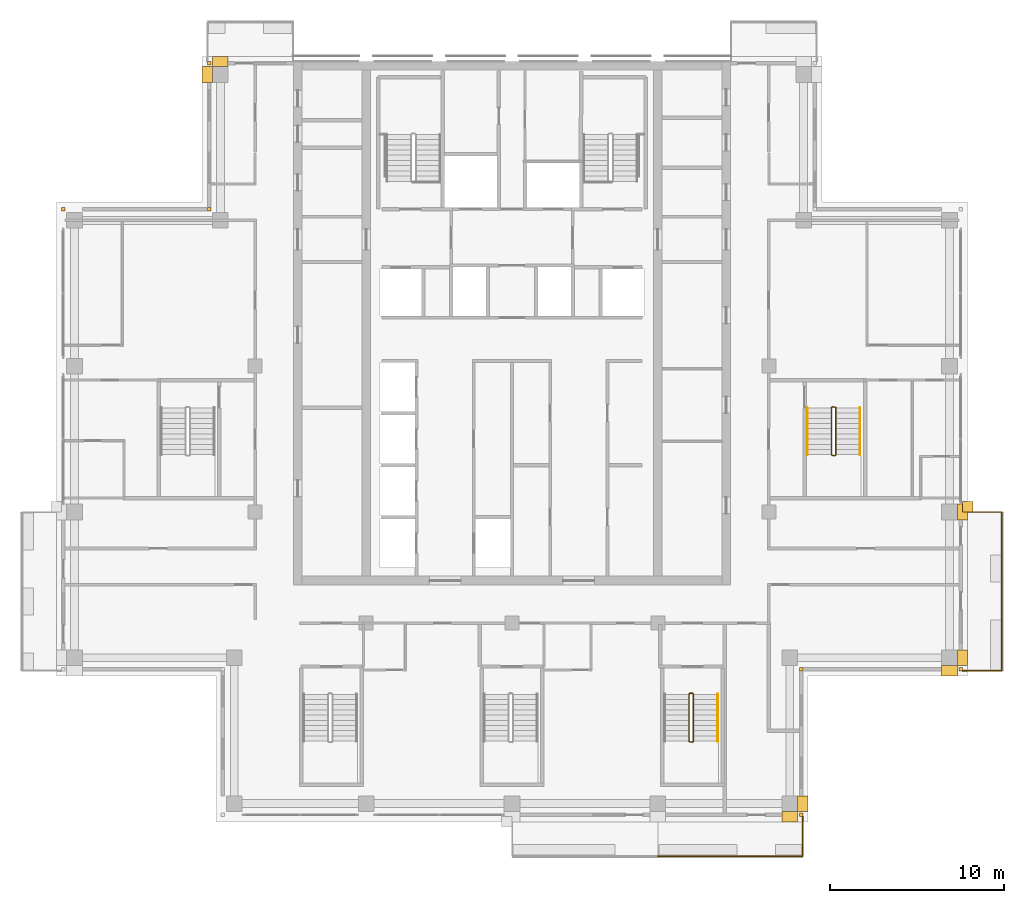
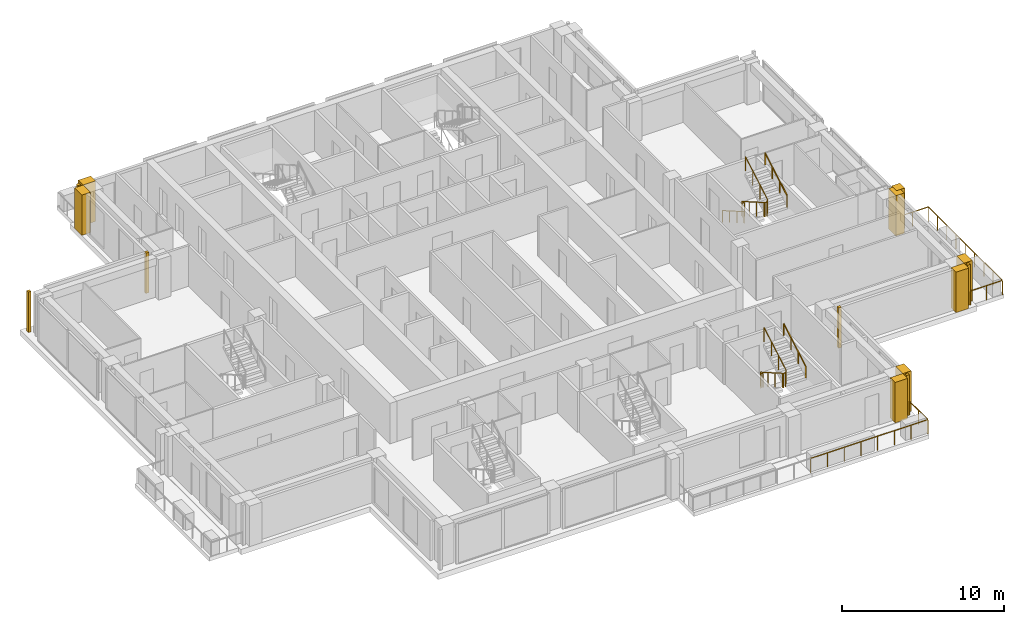
# One storey, part 16 of 17: 14 coverings, 7 railings.
"""IFC4 building model written with IfcOpenShell, lengths in metres."""

import ifcopenshell
import ifcopenshell.guid

model = None  # the IFC model being written
_history = None  # IfcOwnerHistory: only IFC2X3 demands one
_inside = {}  # id of a spatial element -> (the spatial element, [elements in it])
_under = {}  # id of a project, library or spatial element -> (it, [spatial elements below it])
_declared = {}  # id of a project -> (the project, [libraries it declares])
_typed = {}  # id of a type object -> (the type object, [elements of that type])
_made_of = {}  # id of a material, layer set ... -> (it, [elements and type objects made of it])


def new_model(schema):
    """Start an empty IFC model of exactly this schema.

    Asked for "IFC4X3", IfcOpenShell would pick the latest addendum, in which some entities
    have other attributes; the version numbers below select the first issue.
    IFC2X3 requires an IfcOwnerHistory on every rooted entity: one is made here for all.
    """
    global model, _history
    if schema == "IFC4X3":
        model = ifcopenshell.file(schema_version=(4, 3, 0, 0))
    else:
        model = ifcopenshell.file(schema=schema)
    _inside.clear()
    _under.clear()
    _declared.clear()
    _typed.clear()
    _made_of.clear()
    _history = None
    if model.schema == "IFC2X3":
        org = make("IfcOrganization", Name="unknown")
        user = make(
            "IfcPersonAndOrganization",
            ThePerson=make("IfcPerson", FamilyName="unknown"),
            TheOrganization=org,
        )
        app = make(
            "IfcApplication",
            ApplicationDeveloper=org,
            Version="unknown",
            ApplicationFullName="unknown",
            ApplicationIdentifier="unknown",
        )
        _history = make(
            "IfcOwnerHistory",
            OwningUser=user,
            OwningApplication=app,
            ChangeAction="ADDED",
            CreationDate=0,
        )
    return model


def make(cls, **values):
    """One entity of the class cls with the attributes given. An attribute that is None is left unset."""
    return model.create_entity(
        cls, **{name: value for name, value in values.items() if value is not None}
    )


def rooted(cls, **values):
    """An entity with a GlobalId (a new one), such as an element, a storey or a relation."""
    return make(cls, GlobalId=ifcopenshell.guid.new(), OwnerHistory=_history, **values)


def si_unit(unit_type, name, prefix=None):
    """IfcSIUnit, for example si_unit("LENGTHUNIT", "METRE", prefix="MILLI")."""
    return make("IfcSIUnit", UnitType=unit_type, Prefix=prefix, Name=name)


def assignment(units):
    """IfcUnitAssignment: the units of a project."""
    return None if units is None else make("IfcUnitAssignment", Units=units)


def point(xyz):
    """IfcCartesianPoint."""
    return None if xyz is None else make("IfcCartesianPoint", Coordinates=xyz)


def direction(xyz):
    """IfcDirection."""
    return None if xyz is None else make("IfcDirection", DirectionRatios=xyz)


def frame(location, z_axis=None, x_axis=None):
    """IfcAxis2Placement3D, a coordinate frame: its origin and axes. An axis left out is left unset."""
    return make(
        "IfcAxis2Placement3D",
        Location=point(location),
        Axis=direction(z_axis),
        RefDirection=direction(x_axis),
    )


def frame_2d(location, x_axis=None):
    """IfcAxis2Placement2D, a coordinate frame in the plane: its origin and x axis."""
    return make(
        "IfcAxis2Placement2D", Location=point(location), RefDirection=direction(x_axis)
    )


def origin():
    """The frame at (0, 0, 0) with its axes left unset."""
    return frame((0.0, 0.0, 0.0))


def origin_2d():
    """The frame at (0, 0) in the plane with its x axis left unset."""
    return frame_2d((0.0, 0.0))


def place(relative_to, where):
    """IfcLocalPlacement: puts the frame where relative to a parent placement (None: the world)."""
    return make(
        "IfcLocalPlacement", PlacementRelTo=relative_to, RelativePlacement=where
    )


def context(
    kind, dimensions, precision=None, world=None, true_north=None, identifier=None
):
    """IfcGeometricRepresentationContext, for example the 3D "Model" context."""
    return make(
        "IfcGeometricRepresentationContext",
        ContextIdentifier=identifier,
        ContextType=kind,
        CoordinateSpaceDimension=dimensions,
        Precision=precision,
        WorldCoordinateSystem=world,
        TrueNorth=true_north,
    )


def subcontext(parent, identifier, kind, view, scale=None):
    """IfcGeometricRepresentationSubContext, for example "Body" below "Model"."""
    return make(
        "IfcGeometricRepresentationSubContext",
        ContextIdentifier=identifier,
        ContextType=kind,
        ParentContext=parent,
        TargetScale=scale,
        TargetView=view,
    )


def project(units=None, contexts=None):
    """IfcProject with its units and contexts."""
    return rooted(
        "IfcProject",
        Name="project",
        RepresentationContexts=contexts,
        UnitsInContext=assignment(units),
    )


def spatial(cls, under=None, at=None, **own):
    """A site, building, storey or space (cls), placed at a placement, below another one or the project."""
    s = rooted(cls, ObjectPlacement=at, **own)
    if under is not None:
        _under.setdefault(under.id(), (under, []))[1].append(s)
    return s


def polyline(points):
    """IfcPolyline through the points."""
    return make("IfcPolyline", Points=[point(p) for p in points])


def profile(cls, at=None, kind="AREA", **sizes):
    """A parametric profile (cls). Its sizes go by their IFC names, for example OverallWidth=200.0."""
    return make(cls, ProfileType=kind, Position=at, **sizes)


def rectangle(**sizes):
    """IfcRectangleProfileDef."""
    return profile("IfcRectangleProfileDef", **sizes)


def outline(outer, holes=None, kind="AREA"):
    """IfcArbitraryClosedProfileDef: a profile drawn as a closed curve; with holes, ...WithVoids."""
    if holes is None:
        return make("IfcArbitraryClosedProfileDef", ProfileType=kind, OuterCurve=outer)
    return make(
        "IfcArbitraryProfileDefWithVoids",
        ProfileType=kind,
        OuterCurve=outer,
        InnerCurves=holes,
    )


def extrude(swept, where, along, depth):
    """IfcExtrudedAreaSolid: the profile swept, set in the frame where, extruded along a direction by depth."""
    return make(
        "IfcExtrudedAreaSolid",
        SweptArea=swept,
        Position=where,
        ExtrudedDirection=direction(along),
        Depth=depth,
    )


def shape(context_of_items, identifier, shape_type, items):
    """IfcShapeRepresentation: the items that make up one representation, for example the "Body"."""
    return make(
        "IfcShapeRepresentation",
        ContextOfItems=context_of_items,
        RepresentationIdentifier=identifier,
        RepresentationType=shape_type,
        Items=items,
    )


def material(Name=None, Category=None):
    """IfcMaterial."""
    return make("IfcMaterial", Name=Name, Category=Category)


def made_of(thing, what):
    """Note that an element or type object is made of a material, layer set ...; save() writes the relation."""
    if what is not None:
        _made_of.setdefault(what.id(), (what, []))[1].append(thing)
    return thing


def type_object(cls, material=None, **own):
    """A type object (cls), such as IfcWallType, which elements share."""
    return made_of(rooted(cls, **own), material)


def element(
    cls,
    number,
    at=None,
    inside=None,
    cuts=None,
    type_object=None,
    material=None,
    context=None,
    identifier="Body",
    shape_type=None,
    held_by="IfcProductDefinitionShape",
    body=None,
    shapes=None,
    **own,
):
    """One element of the class cls, such as IfcWall. Its Tag is "e" and its number.

    at: its placement. inside: the storey or other place that contains it. cuts: it is an
    opening in that element (IfcRelVoidsElement). A single representation is given by context,
    identifier, shape_type and body (its items); several are given by shapes. held_by: the class
    of the entity that holds the representations. save() writes the other relations.
    """
    e = rooted(cls, Tag="e%d" % number, ObjectPlacement=at, **own)
    if body is not None:
        shapes = [shape(context, identifier, shape_type, body)]
    if shapes is not None:
        e.Representation = make(held_by, Representations=shapes)
    if inside is not None:
        _inside.setdefault(inside.id(), (inside, []))[1].append(e)
    if cuts is not None:
        rooted(
            "IfcRelVoidsElement", RelatingBuildingElement=cuts, RelatedOpeningElement=e
        )
    if type_object is not None:
        _typed.setdefault(type_object.id(), (type_object, []))[1].append(e)
    return made_of(e, material)


def aggregate(whole, parts):
    """IfcRelAggregates: a whole, such as a stair, and the parts it consists of."""
    return rooted("IfcRelAggregates", RelatingObject=whole, RelatedObjects=parts)


def save(model, path):
    """Write the relations noted so far, then the file.

    IfcRelAggregates (storeys below a building ...), IfcRelContainedInSpatialStructure (elements
    in a storey), IfcRelDefinesByType, IfcRelAssociatesMaterial and IfcRelDeclares: one each for
    every whole, place, type object, material and project.
    """
    for whole, parts in _under.values():
        aggregate(whole, parts)
    for where, things in _inside.values():
        rooted(
            "IfcRelContainedInSpatialStructure",
            RelatedElements=things,
            RelatingStructure=where,
        )
    for kind, things in _typed.values():
        rooted("IfcRelDefinesByType", RelatedObjects=things, RelatingType=kind)
    for what, things in _made_of.values():
        rooted("IfcRelAssociatesMaterial", RelatedObjects=things, RelatingMaterial=what)
    for by, libraries in _declared.values():
        rooted("IfcRelDeclares", RelatingContext=by, RelatedDefinitions=libraries)
    model.write(path)


model = new_model("IFC4")

# Units and contexts
model_context = context("Model", 3, precision=1e-05, world=origin(), true_north=direction((0.0, 1.0)))
body_context = subcontext(model_context, "Body", "Model", "MODEL_VIEW")
ifc_project = project(units=[si_unit("LENGTHUNIT", "METRE"), si_unit("AREAUNIT", "SQUARE_METRE"), si_unit("VOLUMEUNIT", "CUBIC_METRE"), si_unit("PLANEANGLEUNIT", "RADIAN"), si_unit("MASSUNIT", "GRAM", prefix="KILO")], contexts=[model_context])

# Site, building, storey
site_placement = place(None, origin())
site = spatial("IfcSite", under=ifc_project, at=site_placement, CompositionType="ELEMENT")
building_placement = place(site_placement, origin())
building = spatial("IfcBuilding", under=site, at=building_placement, Name="Vermilion Ogive Tower", CompositionType="ELEMENT")
storey_placement = place(building_placement, frame((0.0, 0.0, 257.949951171875)))
storey = spatial("IfcBuildingStorey", under=building, at=storey_placement, Name="L68", CompositionType="ELEMENT", Elevation=257.949951171875)

# Railings
ifc_material_1 = material(Name="Stainless steel and glass", Category="steel")
railing_type_1 = type_object("IfcRailingType", Name="Balcony guard", PredefinedType="GUARDRAIL", material=ifc_material_1)
railing_1_placement = place(storey_placement, frame((8.39990234375, -24.020751953125, -0.0400390625)))
element("IfcRailing", 1, at=railing_1_placement, inside=storey, type_object=railing_type_1, Name="Guard S04", PredefinedType="GUARDRAIL", context=body_context, shape_type="SweptSolid", body=[
    extrude(rectangle(XDim=0.048095703125, YDim=0.048095703125, at=origin_2d()), frame((0.0, 0.0, 1.076171875), z_axis=(1.0, 0.0, 0.0), x_axis=(0.0, 1.0, 0.0)), (0.0, 0.0, 1.0), 8.35009765625),
    extrude(rectangle(XDim=0.048095703125, YDim=0.048095703125, at=origin_2d()), frame((8.35009765625, 0.0, 1.076171875), z_axis=(0.0, 1.0, 0.0), x_axis=(-1.0, 0.0, 0.0)), (0.0, 0.0, 1.0), 2.270751953125),
    extrude(rectangle(XDim=0.0419921875, YDim=0.0419921875, at=origin_2d()), origin(), (0.0, 0.0, 1.0), 1.052001953125),
    extrude(rectangle(XDim=0.0419921875, YDim=0.0419921875, at=origin_2d()), frame((1.19287109375, 0.0, 0.0)), (0.0, 0.0, 1.0), 1.052001953125),
    extrude(rectangle(XDim=0.0419921875, YDim=0.0419921875, at=origin_2d()), frame((2.3857421875, 0.0, 0.0)), (0.0, 0.0, 1.0), 1.052001953125),
    extrude(rectangle(XDim=0.0419921875, YDim=0.0419921875, at=origin_2d()), frame((3.57861328125, 0.0, 0.0)), (0.0, 0.0, 1.0), 1.052001953125),
    extrude(rectangle(XDim=0.0419921875, YDim=0.0419921875, at=origin_2d()), frame((4.771484375, 0.0, 0.0)), (0.0, 0.0, 1.0), 1.052001953125),
    extrude(rectangle(XDim=0.0419921875, YDim=0.0419921875, at=origin_2d()), frame((5.96435546875, 0.0, 0.0)), (0.0, 0.0, 1.0), 1.052001953125),
    extrude(rectangle(XDim=0.0419921875, YDim=0.0419921875, at=origin_2d()), frame((7.1572265625, 0.0, 0.0)), (0.0, 0.0, 1.0), 1.052001953125),
    extrude(rectangle(XDim=0.0419921875, YDim=0.0419921875, at=origin_2d()), frame((8.35009765625, 0.0, 0.0)), (0.0, 0.0, 1.0), 1.052001953125),
    extrude(rectangle(XDim=0.0419921875, YDim=0.0419921875, at=origin_2d()), frame((8.35009765625, 1.13525390625, 0.0)), (0.0, 0.0, 1.0), 1.052001953125),
    extrude(rectangle(XDim=0.0419921875, YDim=0.0419921875, at=origin_2d()), frame((8.35009765625, 2.270751953125, 0.0)), (0.0, 0.0, 1.0), 1.052001953125),
])
railing_2_placement = place(storey_placement, frame((25.949951171875, -13.35009765625, -0.0400390625)))
element("IfcRailing", 2, at=railing_2_placement, inside=storey, type_object=railing_type_1, Name="Guard E01", PredefinedType="GUARDRAIL", context=body_context, shape_type="SweptSolid", body=[
    extrude(rectangle(XDim=0.048095703125, YDim=0.048095703125, at=origin_2d()), frame((0.0, 0.0, 1.076171875), z_axis=(1.0, 0.0, 0.0), x_axis=(0.0, 1.0, 0.0)), (0.0, 0.0, 1.0), 2.270751953125),
    extrude(rectangle(XDim=0.048095703125, YDim=0.048095703125, at=origin_2d()), frame((2.270751953125, 0.0, 1.076171875), z_axis=(0.0, 1.0, 0.0), x_axis=(-1.0, 0.0, 0.0)), (0.0, 0.0, 1.0), 9.150146484375),
    extrude(rectangle(XDim=0.048095703125, YDim=0.048095703125, at=origin_2d()), frame((2.270751953125, 9.150146484375, 1.076171875), z_axis=(-1.0, 0.0, 0.0), x_axis=(0.0, -1.0, 0.0)), (0.0, 0.0, 1.0), 2.270751953125),
    extrude(rectangle(XDim=0.0419921875, YDim=0.0419921875, at=origin_2d()), origin(), (0.0, 0.0, 1.0), 1.052001953125),
    extrude(rectangle(XDim=0.0419921875, YDim=0.0419921875, at=origin_2d()), frame((1.13525390625, 0.0, 0.0)), (0.0, 0.0, 1.0), 1.052001953125),
    extrude(rectangle(XDim=0.0419921875, YDim=0.0419921875, at=origin_2d()), frame((2.270751953125, 0.0, 0.0)), (0.0, 0.0, 1.0), 1.052001953125),
    extrude(rectangle(XDim=0.0419921875, YDim=0.0419921875, at=origin_2d()), frame((2.270751953125, 1.143798828125, 0.0)), (0.0, 0.0, 1.0), 1.052001953125),
    extrude(rectangle(XDim=0.0419921875, YDim=0.0419921875, at=origin_2d()), frame((2.270751953125, 2.28759765625, 0.0)), (0.0, 0.0, 1.0), 1.052001953125),
    extrude(rectangle(XDim=0.0419921875, YDim=0.0419921875, at=origin_2d()), frame((2.270751953125, 3.431396484375, 0.0)), (0.0, 0.0, 1.0), 1.052001953125),
    extrude(rectangle(XDim=0.0419921875, YDim=0.0419921875, at=origin_2d()), frame((2.270751953125, 4.5751953125, 0.0)), (0.0, 0.0, 1.0), 1.052001953125),
    extrude(rectangle(XDim=0.0419921875, YDim=0.0419921875, at=origin_2d()), frame((2.270751953125, 5.71875, 0.0)), (0.0, 0.0, 1.0), 1.052001953125),
    extrude(rectangle(XDim=0.0419921875, YDim=0.0419921875, at=origin_2d()), frame((2.270751953125, 6.862548828125, 0.0)), (0.0, 0.0, 1.0), 1.052001953125),
    extrude(rectangle(XDim=0.0419921875, YDim=0.0419921875, at=origin_2d()), frame((2.270751953125, 8.00634765625, 0.0)), (0.0, 0.0, 1.0), 1.052001953125),
    extrude(rectangle(XDim=0.0419921875, YDim=0.0419921875, at=origin_2d()), frame((2.270751953125, 9.150146484375, 0.0)), (0.0, 0.0, 1.0), 1.052001953125),
    extrude(rectangle(XDim=0.0419921875, YDim=0.0419921875, at=origin_2d()), frame((1.13525390625, 9.150146484375, 0.0)), (0.0, 0.0, 1.0), 1.052001953125),
    extrude(rectangle(XDim=0.0419921875, YDim=0.0419921875, at=origin_2d()), frame((0.0, 9.150146484375, 0.0)), (0.0, 0.0, 1.0), 1.052001953125),
])
ifc_material_2 = material(Name="Steel S355 painted", Category="steel")
railing_type_2 = type_object("IfcRailingType", Name="Stair guard 1100", PredefinedType="GUARDRAIL", material=ifc_material_2)
railing_3_placement = place(storey_placement, frame((10.39990234375, -14.64990234375, 0.0)))
element("IfcRailing", 3, at=railing_3_placement, inside=storey, type_object=railing_type_2, Name="L68 ST5 stair guard 4", PredefinedType="GUARDRAIL", context=body_context, shape_type="SweptSolid", body=[
    extrude(rectangle(XDim=0.048095703125, YDim=0.048095703125, at=origin_2d()), frame((0.0, 0.0, 1.076171875), z_axis=(-1.0, 0.0, 0.0), x_axis=(0.0, -1.0, 0.0)), (0.0, 0.0, 1.0), 0.14990234375),
    extrude(rectangle(XDim=0.048095703125, YDim=0.048095703125, at=origin_2d()), frame((-0.14990234375, 0.0, 1.076171875), z_axis=(-0.268277960024, -0.268277960024, 0.925231793839), x_axis=(0.707106781187, -0.707106781187, 0.0)), (0.0, 0.0, 1.0), 0.1865234375),
    extrude(rectangle(XDim=0.048095703125, YDim=0.048095703125, at=origin_2d()), frame((-0.199951171875, -0.050048828125, 1.24853515625), z_axis=(0.0, -0.866903762492, 0.498475542607), x_axis=(1.0, 0.0, 0.0)), (0.0, 0.0, 1.0), 3.114501953125),
    extrude(rectangle(XDim=0.048095703125, YDim=0.048095703125, at=origin_2d()), frame((-0.199951171875, -2.75, 2.80126953125), z_axis=(0.707106781187, -0.707106781187, 0.0), x_axis=(0.707106781187, 0.707106781187, 0.0)), (0.0, 0.0, 1.0), 0.07080078125),
    extrude(rectangle(XDim=0.048095703125, YDim=0.048095703125, at=origin_2d()), frame((-0.14990234375, -2.800048828125, 2.80126953125), z_axis=(1.0, 0.0, 0.0), x_axis=(0.0, 1.0, 0.0)), (0.0, 0.0, 1.0), 0.14990234375),
    extrude(rectangle(XDim=0.048095703125, YDim=0.048095703125, at=origin_2d()), frame((0.0, -2.800048828125, 2.80126953125), z_axis=(0.268603158521, 0.268603158521, 0.925043072762), x_axis=(-0.707106781187, 0.707106781187, 0.0)), (0.0, 0.0, 1.0), 0.186279296875),
    extrude(rectangle(XDim=0.048095703125, YDim=0.048095703125, at=origin_2d()), frame((0.050048828125, -2.75, 2.9736328125), z_axis=(0.0, 0.866903762492, 0.498475542607), x_axis=(-1.0, 0.0, 0.0)), (0.0, 0.0, 1.0), 3.114501953125),
    extrude(rectangle(XDim=0.0419921875, YDim=0.0419921875, at=origin_2d()), origin(), (0.0, 0.0, 1.0), 1.052001953125),
    extrude(rectangle(XDim=0.0419921875, YDim=0.0419921875, at=origin_2d()), frame((-0.14990234375, 0.0, 0.0)), (0.0, 0.0, 1.0), 1.052001953125),
    extrude(rectangle(XDim=0.0419921875, YDim=0.0419921875, at=origin_2d()), frame((-0.199951171875, -0.050048828125, 0.172607421875)), (0.0, 0.0, 1.0), 1.052001953125),
    extrude(rectangle(XDim=0.0419921875, YDim=0.0419921875, at=origin_2d()), frame((-0.199951171875, -0.949951171875, 0.690185546875)), (0.0, 0.0, 1.0), 1.052001953125),
    extrude(rectangle(XDim=0.0419921875, YDim=0.0419921875, at=origin_2d()), frame((-0.199951171875, -1.85009765625, 1.20751953125)), (0.0, 0.0, 1.0), 1.052001953125),
    extrude(rectangle(XDim=0.0419921875, YDim=0.0419921875, at=origin_2d()), frame((-0.199951171875, -2.75, 1.72509765625)), (0.0, 0.0, 1.0), 1.052001953125),
    extrude(rectangle(XDim=0.0419921875, YDim=0.0419921875, at=origin_2d()), frame((-0.14990234375, -2.800048828125, 1.72509765625)), (0.0, 0.0, 1.0), 1.052001953125),
    extrude(rectangle(XDim=0.0419921875, YDim=0.0419921875, at=origin_2d()), frame((0.0, -2.800048828125, 1.72509765625)), (0.0, 0.0, 1.0), 1.052001953125),
    extrude(rectangle(XDim=0.0419921875, YDim=0.0419921875, at=origin_2d()), frame((0.050048828125, -2.75, 1.8974609375)), (0.0, 0.0, 1.0), 1.052001953125),
    extrude(rectangle(XDim=0.0419921875, YDim=0.0419921875, at=origin_2d()), frame((0.050048828125, -1.85009765625, 2.4150390625)), (0.0, 0.0, 1.0), 1.052001953125),
    extrude(rectangle(XDim=0.0419921875, YDim=0.0419921875, at=origin_2d()), frame((0.050048828125, -0.949951171875, 2.932373046875)), (0.0, 0.0, 1.0), 1.052001953125),
    extrude(rectangle(XDim=0.0419921875, YDim=0.0419921875, at=origin_2d()), frame((0.050048828125, -0.050048828125, 3.449951171875)), (0.0, 0.0, 1.0), 1.052001953125),
])
railing_4_placement = place(storey_placement, frame((18.60009765625, 1.85009765625, 0.0)))
element("IfcRailing", 4, at=railing_4_placement, inside=storey, type_object=railing_type_2, Name="L68 ST8 stair guard 4", PredefinedType="GUARDRAIL", context=body_context, shape_type="SweptSolid", body=[
    extrude(rectangle(XDim=0.048095703125, YDim=0.048095703125, at=origin_2d()), frame((0.0, 0.0, 1.076171875), z_axis=(-1.0, 0.0, 0.0), x_axis=(0.0, -1.0, 0.0)), (0.0, 0.0, 1.0), 0.150146484375),
    extrude(rectangle(XDim=0.048095703125, YDim=0.048095703125, at=origin_2d()), frame((-0.150146484375, 0.0, 1.076171875), z_axis=(-0.268277960024, -0.268277960024, 0.925231793839), x_axis=(0.707106781187, -0.707106781187, 0.0)), (0.0, 0.0, 1.0), 0.1865234375),
    extrude(rectangle(XDim=0.048095703125, YDim=0.048095703125, at=origin_2d()), frame((-0.2001953125, -0.050048828125, 1.24853515625), z_axis=(0.0, -0.866903762492, 0.498475542607), x_axis=(1.0, 0.0, 0.0)), (0.0, 0.0, 1.0), 3.114501953125),
    extrude(rectangle(XDim=0.048095703125, YDim=0.048095703125, at=origin_2d()), frame((-0.2001953125, -2.75, 2.80126953125), z_axis=(0.707106781187, -0.707106781187, 0.0), x_axis=(0.707106781187, 0.707106781187, 0.0)), (0.0, 0.0, 1.0), 0.07080078125),
    extrude(rectangle(XDim=0.048095703125, YDim=0.048095703125, at=origin_2d()), frame((-0.150146484375, -2.800048828125, 2.80126953125), z_axis=(1.0, 0.0, 0.0), x_axis=(0.0, 1.0, 0.0)), (0.0, 0.0, 1.0), 0.150146484375),
    extrude(rectangle(XDim=0.048095703125, YDim=0.048095703125, at=origin_2d()), frame((0.0, -2.800048828125, 2.80126953125), z_axis=(0.267386790225, 0.268697509785, 0.925368009307), x_axis=(-0.708833529934, 0.705375805398, 0.0)), (0.0, 0.0, 1.0), 0.186279296875),
    extrude(rectangle(XDim=0.048095703125, YDim=0.048095703125, at=origin_2d()), frame((0.0498046875, -2.75, 2.9736328125), z_axis=(0.0, 0.866903762492, 0.498475542607), x_axis=(-1.0, 0.0, 0.0)), (0.0, 0.0, 1.0), 3.114501953125),
    extrude(rectangle(XDim=0.0419921875, YDim=0.0419921875, at=origin_2d()), origin(), (0.0, 0.0, 1.0), 1.052001953125),
    extrude(rectangle(XDim=0.0419921875, YDim=0.0419921875, at=origin_2d()), frame((-0.150146484375, 0.0, 0.0)), (0.0, 0.0, 1.0), 1.052001953125),
    extrude(rectangle(XDim=0.0419921875, YDim=0.0419921875, at=origin_2d()), frame((-0.2001953125, -0.050048828125, 0.172607421875)), (0.0, 0.0, 1.0), 1.052001953125),
    extrude(rectangle(XDim=0.0419921875, YDim=0.0419921875, at=origin_2d()), frame((-0.2001953125, -0.949951171875, 0.690185546875)), (0.0, 0.0, 1.0), 1.052001953125),
    extrude(rectangle(XDim=0.0419921875, YDim=0.0419921875, at=origin_2d()), frame((-0.2001953125, -1.85009765625, 1.20751953125)), (0.0, 0.0, 1.0), 1.052001953125),
    extrude(rectangle(XDim=0.0419921875, YDim=0.0419921875, at=origin_2d()), frame((-0.2001953125, -2.75, 1.72509765625)), (0.0, 0.0, 1.0), 1.052001953125),
    extrude(rectangle(XDim=0.0419921875, YDim=0.0419921875, at=origin_2d()), frame((-0.150146484375, -2.800048828125, 1.72509765625)), (0.0, 0.0, 1.0), 1.052001953125),
    extrude(rectangle(XDim=0.0419921875, YDim=0.0419921875, at=origin_2d()), frame((0.0, -2.800048828125, 1.72509765625)), (0.0, 0.0, 1.0), 1.052001953125),
    extrude(rectangle(XDim=0.0419921875, YDim=0.0419921875, at=origin_2d()), frame((0.0498046875, -2.75, 1.8974609375)), (0.0, 0.0, 1.0), 1.052001953125),
    extrude(rectangle(XDim=0.0419921875, YDim=0.0419921875, at=origin_2d()), frame((0.0498046875, -1.85009765625, 2.4150390625)), (0.0, 0.0, 1.0), 1.052001953125),
    extrude(rectangle(XDim=0.0419921875, YDim=0.0419921875, at=origin_2d()), frame((0.0498046875, -0.949951171875, 2.932373046875)), (0.0, 0.0, 1.0), 1.052001953125),
    extrude(rectangle(XDim=0.0419921875, YDim=0.0419921875, at=origin_2d()), frame((0.0498046875, -0.050048828125, 3.449951171875)), (0.0, 0.0, 1.0), 1.052001953125),
])
ifc_material_3 = material(Name="Stainless steel", Category="steel")
railing_type_3 = type_object("IfcRailingType", Name="Stair handrail 900", PredefinedType="HANDRAIL", material=ifc_material_3)
railing_5_placement = place(storey_placement, frame((11.85009765625, -17.39990234375, 1.8974609375)))
element("IfcRailing", 5, at=railing_5_placement, inside=storey, type_object=railing_type_3, Name="L68 ST5 stair handrail 2", PredefinedType="HANDRAIL", context=body_context, shape_type="SweptSolid", body=[
    extrude(rectangle(XDim=0.048095703125, YDim=0.048095703125, at=origin_2d()), frame((0.0, 0.0, 0.8759765625), z_axis=(0.0, 0.866903762492, 0.498475542607), x_axis=(-1.0, 0.0, 0.0)), (0.0, 0.0, 1.0), 3.114501953125),
    extrude(rectangle(XDim=0.0419921875, YDim=0.0419921875, at=origin_2d()), origin(), (0.0, 0.0, 1.0), 0.851806640625),
    extrude(rectangle(XDim=0.0419921875, YDim=0.0419921875, at=origin_2d()), frame((0.0, 0.89990234375, 0.517578125)), (0.0, 0.0, 1.0), 0.851806640625),
    extrude(rectangle(XDim=0.0419921875, YDim=0.0419921875, at=origin_2d()), frame((0.0, 1.800048828125, 1.034912109375)), (0.0, 0.0, 1.0), 0.851806640625),
    extrude(rectangle(XDim=0.0419921875, YDim=0.0419921875, at=origin_2d()), frame((0.0, 2.699951171875, 1.552490234375)), (0.0, 0.0, 1.0), 0.851806640625),
])
railing_6_placement = place(storey_placement, frame((17.0, 1.800048828125, 0.172607421875)))
element("IfcRailing", 6, at=railing_6_placement, inside=storey, type_object=railing_type_3, Name="L68 ST8 stair handrail 1", PredefinedType="HANDRAIL", context=body_context, shape_type="SweptSolid", body=[
    extrude(rectangle(XDim=0.048095703125, YDim=0.048095703125, at=origin_2d()), frame((0.0, 0.0, 0.8759765625), z_axis=(0.0, -0.866903762492, 0.498475542607), x_axis=(1.0, 0.0, 0.0)), (0.0, 0.0, 1.0), 3.114501953125),
    extrude(rectangle(XDim=0.0419921875, YDim=0.0419921875, at=origin_2d()), origin(), (0.0, 0.0, 1.0), 0.851806640625),
    extrude(rectangle(XDim=0.0419921875, YDim=0.0419921875, at=origin_2d()), frame((0.0, -0.89990234375, 0.517578125)), (0.0, 0.0, 1.0), 0.851806640625),
    extrude(rectangle(XDim=0.0419921875, YDim=0.0419921875, at=origin_2d()), frame((0.0, -1.800048828125, 1.034912109375)), (0.0, 0.0, 1.0), 0.851806640625),
    extrude(rectangle(XDim=0.0419921875, YDim=0.0419921875, at=origin_2d()), frame((0.0, -2.699951171875, 1.552490234375)), (0.0, 0.0, 1.0), 0.851806640625),
])
railing_7_placement = place(storey_placement, frame((20.050048828125, -0.89990234375, 1.8974609375)))
element("IfcRailing", 7, at=railing_7_placement, inside=storey, type_object=railing_type_3, Name="L68 ST8 stair handrail 2", PredefinedType="HANDRAIL", context=body_context, shape_type="SweptSolid", body=[
    extrude(rectangle(XDim=0.048095703125, YDim=0.048095703125, at=origin_2d()), frame((0.0, 0.0, 0.8759765625), z_axis=(0.0, 0.866903762492, 0.498475542607), x_axis=(-1.0, 0.0, 0.0)), (0.0, 0.0, 1.0), 3.114501953125),
    extrude(rectangle(XDim=0.0419921875, YDim=0.0419921875, at=origin_2d()), origin(), (0.0, 0.0, 1.0), 0.851806640625),
    extrude(rectangle(XDim=0.0419921875, YDim=0.0419921875, at=origin_2d()), frame((0.0, 0.89990234375, 0.517578125)), (0.0, 0.0, 1.0), 0.851806640625),
    extrude(rectangle(XDim=0.0419921875, YDim=0.0419921875, at=origin_2d()), frame((0.0, 1.800048828125, 1.034912109375)), (0.0, 0.0, 1.0), 0.851806640625),
    extrude(rectangle(XDim=0.0419921875, YDim=0.0419921875, at=origin_2d()), frame((0.0, 2.699951171875, 1.552490234375)), (0.0, 0.0, 1.0), 0.851806640625),
])

# Coverings
ifc_material_4 = material(Name="Stone cladding", Category="masonry")
covering_type_1 = type_object("IfcCoveringType", Name="Stone corner buttress", PredefinedType="CLADDING", material=ifc_material_4)
covering_1_placement = place(storey_placement, origin())
element("IfcCovering", 8, at=covering_1_placement, inside=storey, type_object=covering_type_1, Name="Stone crease pier EK", PredefinedType="CLADDING", context=body_context, shape_type="SweptSolid", body=[
    extrude(outline(polyline([(26.550048828125, -4.199951171875), (26.550048828125, -3.60009765625), (25.949951171875, -3.60009765625), (25.949951171875, -4.199951171875), (26.550048828125, -4.199951171875)])), origin(), (0.0, 0.0, 1.0), 3.050048828125),
])
ifc_material_5 = material(Name="Stone cladding", Category="masonry")
covering_type_2 = type_object("IfcCoveringType", Name="Stone pier", PredefinedType="CLADDING", material=ifc_material_5)
covering_2_placement = place(storey_placement, origin())
element("IfcCovering", 9, at=covering_2_placement, inside=storey, type_object=covering_type_2, Name="Stone corner pier SE1", PredefinedType="CLADDING", context=body_context, shape_type="SweptSolid", body=[
    extrude(outline(polyline([(16.550048828125, -21.550048828125), (16.75, -21.550048828125), (16.75, -21.75), (16.550048828125, -21.75), (16.550048828125, -21.550048828125)])), origin(), (0.0, 0.0, 1.0), 3.050048828125),
])
covering_3_placement = place(storey_placement, origin())
element("IfcCovering", 10, at=covering_3_placement, inside=storey, type_object=covering_type_2, Name="Stone corner pier X1E1", PredefinedType="CLADDING", context=body_context, shape_type="SweptSolid", body=[
    extrude(outline(polyline([(16.550048828125, -13.14990234375), (16.75, -13.14990234375), (16.75, -13.35009765625), (16.550048828125, -13.35009765625), (16.550048828125, -13.14990234375)])), origin(), (0.0, 0.0, 1.0), 3.050048828125),
])
covering_4_placement = place(storey_placement, origin())
element("IfcCovering", 11, at=covering_4_placement, inside=storey, type_object=covering_type_2, Name="Stone corner pier X2E1", PredefinedType="CLADDING", context=body_context, shape_type="SweptSolid", body=[
    extrude(outline(polyline([(25.75, -13.14990234375), (25.949951171875, -13.14990234375), (25.949951171875, -13.35009765625), (25.75, -13.35009765625), (25.75, -13.14990234375)])), origin(), (0.0, 0.0, 1.0), 3.050048828125),
])
covering_5_placement = place(storey_placement, origin())
element("IfcCovering", 12, at=covering_5_placement, inside=storey, type_object=covering_type_2, Name="Stone corner pier N2E1", PredefinedType="CLADDING", context=body_context, shape_type="SweptSolid", body=[
    extrude(outline(polyline([(-17.35009765625, 21.550048828125), (-17.550048828125, 21.550048828125), (-17.550048828125, 21.75), (-17.35009765625, 21.75), (-17.35009765625, 21.550048828125)])), origin(), (0.0, 0.0, 1.0), 3.050048828125),
])
covering_6_placement = place(storey_placement, origin())
element("IfcCovering", 13, at=covering_6_placement, inside=storey, type_object=covering_type_2, Name="Stone corner pier X5E1", PredefinedType="CLADDING", context=body_context, shape_type="SweptSolid", body=[
    extrude(outline(polyline([(-17.35009765625, 13.14990234375), (-17.550048828125, 13.14990234375), (-17.550048828125, 13.35009765625), (-17.35009765625, 13.35009765625), (-17.35009765625, 13.14990234375)])), origin(), (0.0, 0.0, 1.0), 3.050048828125),
])
covering_7_placement = place(storey_placement, origin())
element("IfcCovering", 14, at=covering_7_placement, inside=storey, type_object=covering_type_2, Name="Stone corner pier X6E1", PredefinedType="CLADDING", context=body_context, shape_type="SweptSolid", body=[
    extrude(outline(polyline([(-25.75, 13.14990234375), (-25.949951171875, 13.14990234375), (-25.949951171875, 13.35009765625), (-25.75, 13.35009765625), (-25.75, 13.14990234375)])), origin(), (0.0, 0.0, 1.0), 3.050048828125),
])
covering_8_placement = place(storey_placement, origin())
element("IfcCovering", 15, at=covering_8_placement, inside=storey, type_object=covering_type_2, Name="Stone pier P+0160-210S", PredefinedType="CLADDING", context=body_context, shape_type="SweptSolid", body=[
    extrude(outline(polyline([(16.449951171875, -21.449951171875), (16.449951171875, -21.449951171875), (16.449951171875, -22.050048828125), (15.550048828125, -22.050048828125), (15.550048828125, -21.449951171875), (15.550048828125, -21.449951171875), (16.449951171875, -21.449951171875)])), origin(), (0.0, 0.0, 1.0), 3.050048828125),
])
covering_9_placement = place(storey_placement, origin())
element("IfcCovering", 16, at=covering_9_placement, inside=storey, type_object=covering_type_2, Name="Stone pier P+0160-210X1", PredefinedType="CLADDING", context=body_context, shape_type="SweptSolid", body=[
    extrude(outline(polyline([(17.050048828125, -21.449951171875), (16.449951171875, -21.449951171875), (16.449951171875, -21.449951171875), (16.449951171875, -20.550048828125), (17.050048828125, -20.550048828125), (17.050048828125, -21.449951171875)])), origin(), (0.0, 0.0, 1.0), 3.050048828125),
])
covering_10_placement = place(storey_placement, origin())
element("IfcCovering", 17, at=covering_10_placement, inside=storey, type_object=covering_type_2, Name="Stone pier P+0252-042", PredefinedType="CLADDING", context=body_context, shape_type="SweptSolid", body=[
    extrude(outline(polyline([(25.949951171875, -3.75), (25.949951171875, -4.199951171875), (26.25, -4.199951171875), (26.25, -4.64990234375), (25.64990234375, -4.64990234375), (25.64990234375, -3.75), (25.949951171875, -3.75)])), origin(), (0.0, 0.0, 1.0), 3.050048828125),
])
covering_11_placement = place(storey_placement, origin())
element("IfcCovering", 18, at=covering_11_placement, inside=storey, type_object=covering_type_2, Name="Stone pier P+0252-126X2", PredefinedType="CLADDING", context=body_context, shape_type="SweptSolid", body=[
    extrude(outline(polyline([(25.64990234375, -13.64990234375), (24.75, -13.64990234375), (24.75, -13.050048828125), (25.64990234375, -13.050048828125), (25.64990234375, -13.64990234375)])), origin(), (0.0, 0.0, 1.0), 3.050048828125),
])
covering_12_placement = place(storey_placement, origin())
element("IfcCovering", 19, at=covering_12_placement, inside=storey, type_object=covering_type_2, Name="Stone pier P+0252-126E", PredefinedType="CLADDING", context=body_context, shape_type="SweptSolid", body=[
    extrude(outline(polyline([(26.25, -13.050048828125), (25.64990234375, -13.050048828125), (25.64990234375, -12.14990234375), (26.25, -12.14990234375), (26.25, -13.050048828125)])), origin(), (0.0, 0.0, 1.0), 3.050048828125),
])
covering_13_placement = place(storey_placement, origin())
element("IfcCovering", 20, at=covering_13_placement, inside=storey, type_object=covering_type_2, Name="Stone pier P-0168+210N2", PredefinedType="CLADDING", context=body_context, shape_type="SweptSolid", body=[
    extrude(outline(polyline([(-17.25, 21.449951171875), (-17.25, 22.050048828125), (-16.35009765625, 22.050048828125), (-16.35009765625, 21.449951171875), (-17.25, 21.449951171875), (-17.25, 21.449951171875)])), origin(), (0.0, 0.0, 1.0), 3.050048828125),
])
covering_14_placement = place(storey_placement, origin())
element("IfcCovering", 21, at=covering_14_placement, inside=storey, type_object=covering_type_2, Name="Stone pier P-0168+210X5", PredefinedType="CLADDING", context=body_context, shape_type="SweptSolid", body=[
    extrude(outline(polyline([(-17.85009765625, 21.449951171875), (-17.25, 21.449951171875), (-17.25, 21.449951171875), (-17.25, 20.550048828125), (-17.85009765625, 20.550048828125), (-17.85009765625, 21.449951171875)])), origin(), (0.0, 0.0, 1.0), 3.050048828125),
])

save(model, "model.ifc")
